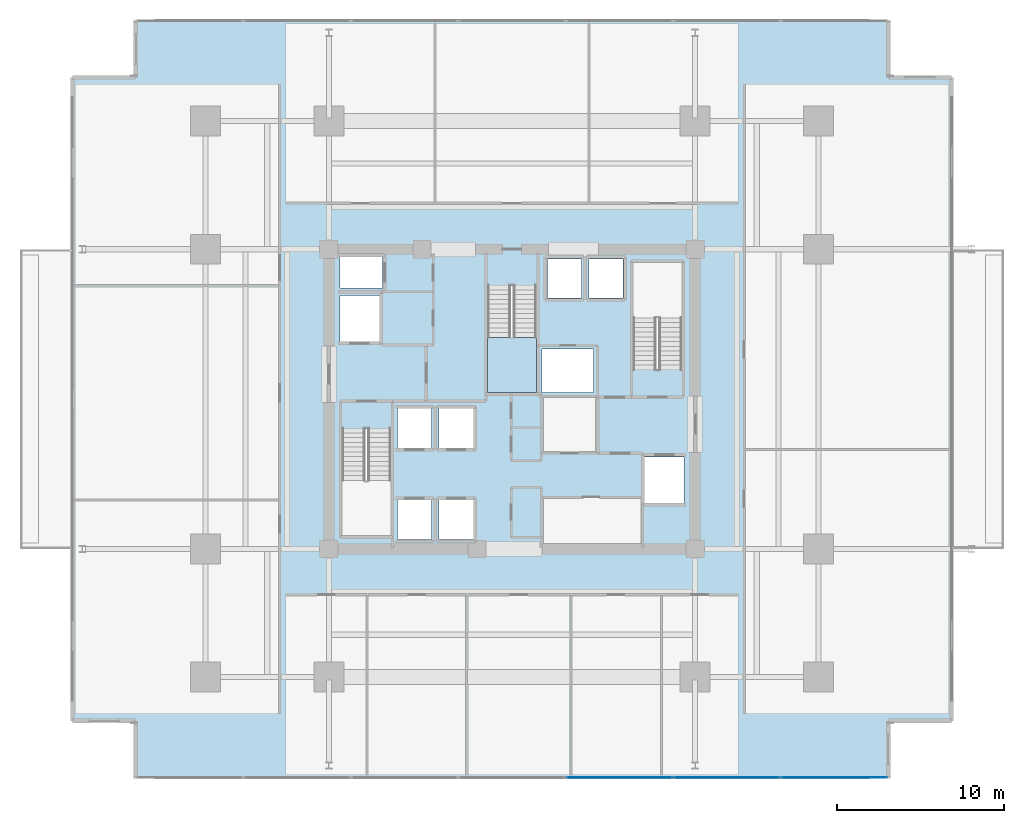
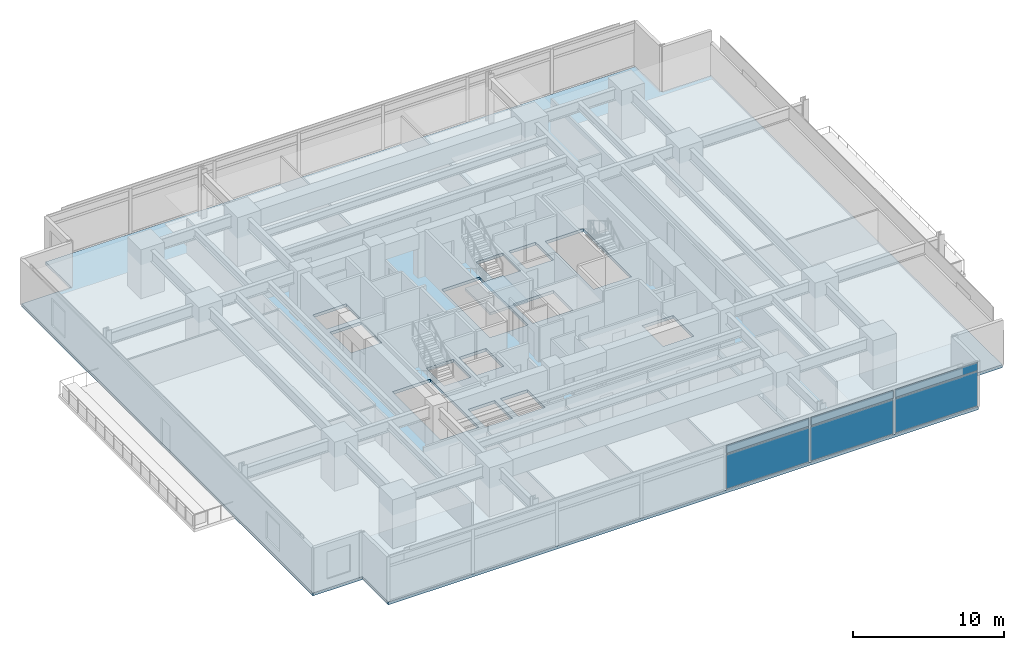
# One storey, part 14 of 23: 6 plates, 2 slabs, 2 elements without a shape of their own.
"""IFC4 building model written with IfcOpenShell, lengths in metres."""

from ifc_helpers import new_model, si_unit, direction, frame, origin, origin_2d, place, context, subcontext, project, spatial, polyline, rectangle, outline, extrude, material, layer, layer_set, type_object, element, aggregate, save


model = new_model("IFC4")

# Units and contexts
model_context = context("Model", 3, precision=1e-05, world=origin(), true_north=direction((0.0, 1.0)))
body_context = subcontext(model_context, "Body", "Model", "MODEL_VIEW")
ifc_project = project(units=[si_unit("LENGTHUNIT", "METRE"), si_unit("AREAUNIT", "SQUARE_METRE"), si_unit("VOLUMEUNIT", "CUBIC_METRE"), si_unit("PLANEANGLEUNIT", "RADIAN"), si_unit("MASSUNIT", "GRAM", prefix="KILO")], contexts=[model_context])

# Site, building, storey
site_placement = place(None, origin())
site = spatial("IfcSite", under=ifc_project, at=site_placement, CompositionType="ELEMENT")
building_placement = place(site_placement, origin())
building = spatial("IfcBuilding", under=site, at=building_placement, Name="Kovane Verandah Tower", CompositionType="ELEMENT")
storey_placement = place(building_placement, frame((0.0, 0.0, 103.60009765625)))
storey = spatial("IfcBuildingStorey", under=building, at=storey_placement, Name="L24", CompositionType="ELEMENT", Elevation=103.60009765625)

# Curtain wall, plates
ifc_material_1 = material(Name="Champagne Anodised Aluminium Frame with Low-E Clear Laminated Glass", Category="aluminium")
curtain_wall_type = type_object("IfcCurtainWallType", Name="CW-SYS-02-LOW", PredefinedType="NOTDEFINED", material=ifc_material_1)
curtain_wall_placement = place(storey_placement, origin())
curtain_wall = element("IfcCurtainWall", 1, at=curtain_wall_placement, inside=storey, type_object=curtain_wall_type, Name="L24 S Unitised Curtain Wall", PredefinedType="NOTDEFINED")
ifc_material_2 = material(Name="Pale Champagne Anodised Aluminium Insulated Spandrel", Category="aluminium")
ifc_layer_1 = layer(ifc_material_2, 0.0400390625)
ifc_layer_set_1 = layer_set([ifc_layer_1], Name="Pale Champagne Anodised Aluminium Insulated Spandrel")
plate_type_1 = type_object("IfcPlateType", Name="PL-CW-SPD-40", PredefinedType="SHEET", material=ifc_layer_set_1)
plate_1_placement = place(storey_placement, frame((46.456787109375, 4.781005859375, 2.9697265625), z_axis=(0.0, 0.0, 1.0), x_axis=(1.0, 0.0, 0.0)))
plate_1 = element("IfcPlate", 2, at=plate_1_placement, type_object=plate_type_1, Name="L24 S Unitised Curtain Wall Spandrel Panel 5", PredefinedType="SHEET", context=body_context, shape_type="SweptSolid", body=[
    extrude(rectangle(XDim=6.316650390625, YDim=0.0400390625, at=origin_2d()), origin(), (0.0, 0.0, 1.0), 0.639892578125),
])
plate_2_placement = place(storey_placement, frame((52.91357421875, 4.781005859375, 2.9697265625), z_axis=(0.0, 0.0, 1.0), x_axis=(1.0, 0.0, 0.0)))
plate_2 = element("IfcPlate", 3, at=plate_2_placement, type_object=plate_type_1, Name="L24 S Unitised Curtain Wall Spandrel Panel 6", PredefinedType="SHEET", context=body_context, shape_type="SweptSolid", body=[
    extrude(rectangle(XDim=6.316650390625, YDim=0.0400390625, at=origin_2d()), origin(), (0.0, 0.0, 1.0), 0.639892578125),
])
plate_3_placement = place(storey_placement, frame((59.3701171875, 4.781005859375, 2.9697265625), z_axis=(0.0, 0.0, 1.0), x_axis=(1.0, 0.0, 0.0)))
plate_3 = element("IfcPlate", 4, at=plate_3_placement, type_object=plate_type_1, Name="L24 S Unitised Curtain Wall Spandrel Panel 7", PredefinedType="SHEET", context=body_context, shape_type="SweptSolid", body=[
    extrude(rectangle(XDim=6.316650390625, YDim=0.0400390625, at=origin_2d()), origin(), (0.0, 0.0, 1.0), 0.639892578125),
])
ifc_material_3 = material(Name="Clear Low-E Laminated Double Glazing", Category="glass")
ifc_layer_2 = layer(ifc_material_3, 0.031982421875)
ifc_layer_set_2 = layer_set([ifc_layer_2], Name="Clear Low-E Laminated Double Glazing")
plate_type_2 = type_object("IfcPlateType", Name="PL-CW-VIS-32", PredefinedType="CURTAIN_PANEL", material=ifc_layer_set_2)
plate_4_placement = place(storey_placement, frame((46.456787109375, 4.781005859375, 0.099853515625), z_axis=(0.0, 0.0, 1.0), x_axis=(1.0, 0.0, 0.0)))
plate_4 = element("IfcPlate", 5, at=plate_4_placement, type_object=plate_type_2, Name="L24 S Unitised Curtain Wall Vision Panel 5", PredefinedType="CURTAIN_PANEL", context=body_context, shape_type="SweptSolid", body=[
    extrude(rectangle(XDim=6.316650390625, YDim=0.031982421875, at=origin_2d()), origin(), (0.0, 0.0, 1.0), 2.77001953125),
])
plate_5_placement = place(storey_placement, frame((52.91357421875, 4.781005859375, 0.099853515625), z_axis=(0.0, 0.0, 1.0), x_axis=(1.0, 0.0, 0.0)))
plate_5 = element("IfcPlate", 6, at=plate_5_placement, type_object=plate_type_2, Name="L24 S Unitised Curtain Wall Vision Panel 6", PredefinedType="CURTAIN_PANEL", context=body_context, shape_type="SweptSolid", body=[
    extrude(rectangle(XDim=6.316650390625, YDim=0.031982421875, at=origin_2d()), origin(), (0.0, 0.0, 1.0), 2.77001953125),
])
plate_6_placement = place(storey_placement, frame((59.3701171875, 4.781005859375, 0.099853515625), z_axis=(0.0, 0.0, 1.0), x_axis=(1.0, 0.0, 0.0)))
plate_6 = element("IfcPlate", 7, at=plate_6_placement, type_object=plate_type_2, Name="L24 S Unitised Curtain Wall Vision Panel 7", PredefinedType="CURTAIN_PANEL", context=body_context, shape_type="SweptSolid", body=[
    extrude(rectangle(XDim=6.316650390625, YDim=0.031982421875, at=origin_2d()), origin(), (0.0, 0.0, 1.0), 2.77001953125),
])
aggregate(curtain_wall, [plate_4, plate_1, plate_5, plate_2, plate_6, plate_3])

# Stair, slab
ifc_material_4 = material(Name="Concrete C45/55", Category="concrete")
stair_type = type_object("IfcStairType", Name="ST-CORE-1380", PredefinedType="HALF_TURN_STAIR", material=ifc_material_4)
stair_placement = place(storey_placement, origin())
stair = element("IfcStair", 8, at=stair_placement, inside=storey, type_object=stair_type, Name="L24 Exit Stair ST-03", PredefinedType="HALF_TURN_STAIR")
ifc_layer_3 = layer(ifc_material_4, 0.199951171875)
ifc_layer_set_3 = layer_set([ifc_layer_3], Name="Concrete C45/55")
slab_type_1 = type_object("IfcSlabType", Name="SL-LAND-200", PredefinedType="LANDING", material=ifc_layer_set_3)
slab_1_placement = place(storey_placement, frame((0.0, 0.0, 1.7998046875)))
slab_1 = element("IfcSlab", 9, at=slab_1_placement, type_object=slab_type_1, Name="ST-03 landing 1", PredefinedType="LANDING", context=body_context, shape_type="SweptSolid", body=[
    extrude(outline(polyline([(38.5400390625, 31.215087890625), (38.5400390625, 27.89990234375), (41.4599609375, 27.89990234375), (41.4599609375, 31.215087890625), (38.5400390625, 31.215087890625)])), origin(), (0.0, 0.0, 1.0), 0.2001953125),
])
aggregate(stair, [slab_1])

# Slab
ifc_layer_4 = layer(ifc_material_4, 0.239990234375)
ifc_layer_set_4 = layer_set([ifc_layer_4], Name="Concrete C45/55")
slab_type_2 = type_object("IfcSlabType", Name="SL-TYP-240", PredefinedType="FLOOR", material=ifc_layer_set_4)
slab_2_placement = place(storey_placement, frame((0.0, 0.0, -0.239990234375)))
element("IfcSlab", 10, at=slab_2_placement, inside=storey, type_object=slab_type_2, Name="L24 Structural Floor Slab", PredefinedType="FLOOR", context=body_context, shape_type="SweptSolid", body=[
    extrude(outline(polyline([(17.4013671875, 4.781005859375), (62.5986328125, 4.781005859375), (62.5986328125, 8.180908203125), (66.398681640625, 8.180908203125), (66.398681640625, 46.819091796875), (62.5986328125, 46.819091796875), (62.5986328125, 50.218994140625), (17.4013671875, 50.218994140625), (17.4013671875, 46.819091796875), (13.601318359375, 46.819091796875), (13.601318359375, 8.180908203125), (17.4013671875, 8.180908203125), (17.4013671875, 4.781005859375)]), holes=[polyline([(29.800048828125, 19.300048828125), (32.719970703125, 19.300048828125), (32.719970703125, 25.705078125), (29.800048828125, 25.705078125), (29.800048828125, 19.300048828125)]), polyline([(47.280029296875, 29.294921875), (50.199951171875, 29.294921875), (50.199951171875, 35.699951171875), (47.280029296875, 35.699951171875), (47.280029296875, 29.294921875)]), polyline([(38.5400390625, 27.89990234375), (41.4599609375, 27.89990234375), (41.4599609375, 34.304931640625), (38.5400390625, 34.304931640625), (38.5400390625, 27.89990234375)]), polyline([(29.669921875, 30.969970703125), (32.030029296875, 30.969970703125), (32.030029296875, 33.72998046875), (29.669921875, 33.72998046875), (29.669921875, 30.969970703125)]), polyline([(47.969970703125, 21.27001953125), (50.330078125, 21.27001953125), (50.330078125, 24.030029296875), (47.969970703125, 24.030029296875), (47.969970703125, 21.27001953125)]), polyline([(29.669921875, 34.169921875), (32.22998046875, 34.169921875), (32.22998046875, 36.030029296875), (29.669921875, 36.030029296875), (29.669921875, 34.169921875)]), polyline([(33.1201171875, 19.070068359375), (35.179931640625, 19.070068359375), (35.179931640625, 21.429931640625), (33.1201171875, 21.429931640625), (33.1201171875, 19.070068359375)]), polyline([(35.6201171875, 19.070068359375), (37.679931640625, 19.070068359375), (37.679931640625, 21.429931640625), (35.6201171875, 21.429931640625), (35.6201171875, 19.070068359375)]), polyline([(33.1201171875, 24.570068359375), (35.179931640625, 24.570068359375), (35.179931640625, 26.929931640625), (33.1201171875, 26.929931640625), (33.1201171875, 24.570068359375)]), polyline([(35.6201171875, 24.570068359375), (37.679931640625, 24.570068359375), (37.679931640625, 26.929931640625), (35.6201171875, 26.929931640625), (35.6201171875, 24.570068359375)]), polyline([(42.1201171875, 33.570068359375), (44.179931640625, 33.570068359375), (44.179931640625, 35.929931640625), (42.1201171875, 35.929931640625), (42.1201171875, 33.570068359375)]), polyline([(44.6201171875, 33.570068359375), (46.679931640625, 33.570068359375), (46.679931640625, 35.929931640625), (44.6201171875, 35.929931640625), (44.6201171875, 33.570068359375)]), polyline([(41.800048828125, 27.89990234375), (44.89990234375, 27.89990234375), (44.89990234375, 30.5), (41.800048828125, 30.5), (41.800048828125, 27.89990234375)])]), origin(), (0.0, 0.0, 1.0), 0.239990234375),
])

save(model, "model.ifc")
